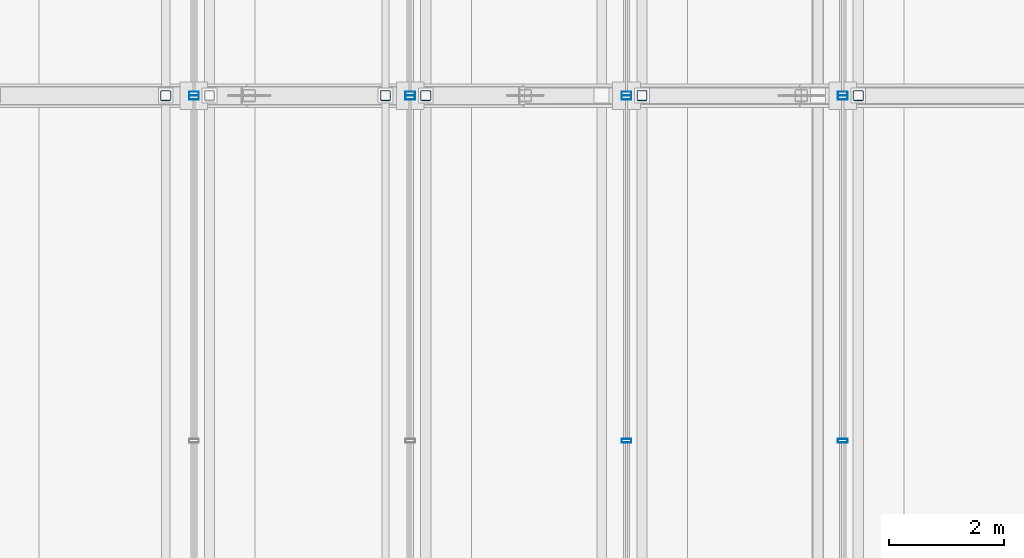
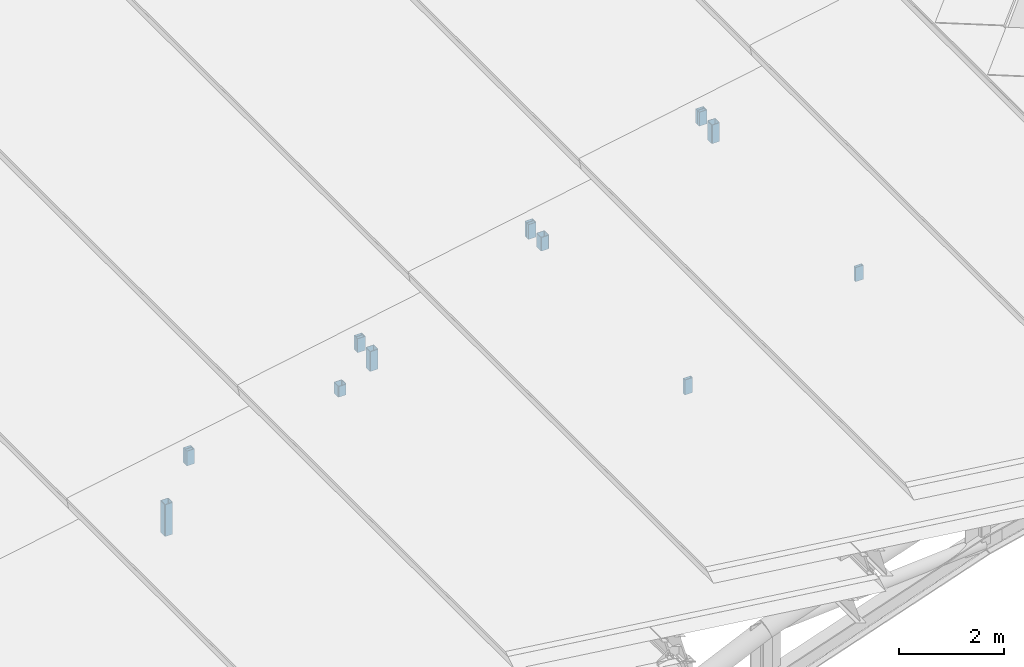
# One storey, part 59 of 117: 15 members, 8 elements without a shape of their own.
"""IFC4 building model written with IfcOpenShell, lengths in metres."""

from ifc_helpers import new_model, si_unit, direction, frame, origin, origin_2d, place, context, subcontext, project, spatial, hollow_rectangle, extrude, material, material_profile, profile_set, type_object, element, aggregate, save


model = new_model("IFC4")

# Units and contexts
model_context = context("Model", 3, precision=1e-05, world=origin(), true_north=direction((0.0, 1.0)))
body_context = subcontext(model_context, "Body", "Model", "MODEL_VIEW")
ifc_project = project(units=[si_unit("LENGTHUNIT", "METRE"), si_unit("AREAUNIT", "SQUARE_METRE"), si_unit("VOLUMEUNIT", "CUBIC_METRE"), si_unit("PLANEANGLEUNIT", "RADIAN"), si_unit("MASSUNIT", "GRAM", prefix="KILO")], contexts=[model_context])

# Site, building, storey
site_placement = place(None, origin())
site = spatial("IfcSite", under=ifc_project, at=site_placement, CompositionType="ELEMENT")
building_placement = place(site_placement, origin())
building = spatial("IfcBuilding", under=site, at=building_placement, Name="Merenkruunu Market Hall", CompositionType="ELEMENT")
storey_placement = place(building_placement, frame((0.0, 0.0, 22.800048828125)))
storey = spatial("IfcBuildingStorey", under=building, at=storey_placement, Name="RF", CompositionType="ELEMENT", Elevation=22.800048828125)

# Curtain wall, member
ifc_material_1 = material(Name="Powder-coated aluminium", Category="aluminium")
curtain_wall_type = type_object("IfcCurtainWallType", Name="Clerestory Curtain Band CL05", PredefinedType="USERDEFINED", material=ifc_material_1)
curtain_wall_1_placement = place(storey_placement, origin())
curtain_wall_1 = element("IfcCurtainWall", 1, at=curtain_wall_1_placement, inside=storey, type_object=curtain_wall_type, Name="CW-RF-CWM04-083", ObjectType="CLERESTORY_BAND", PredefinedType="USERDEFINED")
ifc_material_profile_1 = material_profile(ifc_material_1, hollow_rectangle(XDim=0.070068359375, YDim=0.169921875, WallThickness=0.0048828125, at=origin_2d()), Name="ALU 70x170x5")
ifc_profile_set_1 = profile_set([ifc_material_profile_1], Name="Powder-coated aluminium")
member_type_1 = type_object("IfcMemberType", Name="Curtain Wall Mullion CWM04", PredefinedType="MULLION", material=ifc_profile_set_1)
member_1_placement = place(storey_placement, frame((3.840087890625, 63.56494140625, -6.52197265625), z_axis=(0.0, 0.0, 1.0), x_axis=(0.0, 1.0, 0.0)))
member_1 = element("IfcMember", 2, at=member_1_placement, type_object=member_type_1, Name="CL05 mullion 5", PredefinedType="MULLION", context=body_context, shape_type="SweptSolid", body=[
    extrude(hollow_rectangle(XDim=0.070068359375, YDim=0.169921875, WallThickness=0.0048828125, at=origin_2d()), origin(), (0.0, 0.0, 1.0), 0.347900390625),
])
aggregate(curtain_wall_1, [member_1])

curtain_wall_2_placement = place(storey_placement, origin())
curtain_wall_2 = element("IfcCurtainWall", 3, at=curtain_wall_2_placement, inside=storey, type_object=curtain_wall_type, Name="CW-RF-CWM04-085", ObjectType="CLERESTORY_BAND", PredefinedType="USERDEFINED")
member_2_placement = place(storey_placement, frame((3.840087890625, 63.635009765625, -6.52197265625), z_axis=(0.0, 0.0, 1.0), x_axis=(0.0, 1.0, 0.0)))
member_2 = element("IfcMember", 4, at=member_2_placement, type_object=member_type_1, Name="CL05 mullion 1", PredefinedType="MULLION", context=body_context, shape_type="SweptSolid", body=[
    extrude(hollow_rectangle(XDim=0.070068359375, YDim=0.169921875, WallThickness=0.0048828125, at=origin_2d()), origin(), (0.0, 0.0, 1.0), 0.347900390625),
])
aggregate(curtain_wall_2, [member_2])

curtain_wall_3_placement = place(storey_placement, origin())
curtain_wall_3 = element("IfcCurtainWall", 5, at=curtain_wall_3_placement, inside=storey, type_object=curtain_wall_type, Name="CW-RF-CWM04-091", ObjectType="CLERESTORY_BAND", PredefinedType="USERDEFINED")
member_3_placement = place(storey_placement, frame((7.60009765625, 63.56494140625, -5.2021484375), z_axis=(0.0, 0.0, 1.0), x_axis=(0.0, 1.0, 0.0)))
member_3 = element("IfcMember", 6, at=member_3_placement, type_object=member_type_1, Name="CL05 mullion 5", PredefinedType="MULLION", context=body_context, shape_type="SweptSolid", body=[
    extrude(hollow_rectangle(XDim=0.070068359375, YDim=0.169921875, WallThickness=0.0048828125, at=origin_2d()), origin(), (0.0, 0.0, 1.0), 0.3271484375),
])
aggregate(curtain_wall_3, [member_3])

curtain_wall_4_placement = place(storey_placement, origin())
curtain_wall_4 = element("IfcCurtainWall", 7, at=curtain_wall_4_placement, inside=storey, type_object=curtain_wall_type, Name="CW-RF-CWM04-093", ObjectType="CLERESTORY_BAND", PredefinedType="USERDEFINED")
member_4_placement = place(storey_placement, frame((7.60009765625, 63.635009765625, -5.2021484375), z_axis=(0.0, 0.0, 1.0), x_axis=(0.0, 1.0, 0.0)))
member_4 = element("IfcMember", 8, at=member_4_placement, type_object=member_type_1, Name="CL05 mullion 1", PredefinedType="MULLION", context=body_context, shape_type="SweptSolid", body=[
    extrude(hollow_rectangle(XDim=0.070068359375, YDim=0.169921875, WallThickness=0.0048828125, at=origin_2d()), origin(), (0.0, 0.0, 1.0), 0.3271484375),
])
aggregate(curtain_wall_4, [member_4])

# Curtain wall, members
curtain_wall_5_placement = place(storey_placement, origin())
curtain_wall_5 = element("IfcCurtainWall", 9, at=curtain_wall_5_placement, inside=storey, type_object=curtain_wall_type, Name="CW-RF-CWM04-099", ObjectType="CLERESTORY_BAND", PredefinedType="USERDEFINED")
member_5_placement = place(storey_placement, frame((11.360107421875, 57.60009765625, -3.882080078125), z_axis=(0.0, 0.0, 1.0), x_axis=(0.0, 1.0, 0.0)))
member_5 = element("IfcMember", 10, at=member_5_placement, type_object=member_type_1, Name="CL05 mullion 4", PredefinedType="MULLION", context=body_context, shape_type="SweptSolid", body=[
    extrude(hollow_rectangle(XDim=0.070068359375, YDim=0.169921875, WallThickness=0.0048828125, at=origin_2d()), origin(), (0.0, 0.0, 1.0), 0.34814453125),
])
member_6_placement = place(storey_placement, frame((11.360107421875, 63.56494140625, -3.882080078125), z_axis=(0.0, 0.0, 1.0), x_axis=(0.0, 1.0, 0.0)))
member_6 = element("IfcMember", 11, at=member_6_placement, type_object=member_type_1, Name="CL05 mullion 5", PredefinedType="MULLION", context=body_context, shape_type="SweptSolid", body=[
    extrude(hollow_rectangle(XDim=0.070068359375, YDim=0.169921875, WallThickness=0.0048828125, at=origin_2d()), origin(), (0.0, 0.0, 1.0), 0.34814453125),
])
aggregate(curtain_wall_5, [member_5, member_6])

# Curtain wall, member
curtain_wall_6_placement = place(storey_placement, origin())
curtain_wall_6 = element("IfcCurtainWall", 12, at=curtain_wall_6_placement, inside=storey, type_object=curtain_wall_type, Name="CW-RF-CWM04-101", ObjectType="CLERESTORY_BAND", PredefinedType="USERDEFINED")
member_7_placement = place(storey_placement, frame((11.360107421875, 63.635009765625, -3.882080078125), z_axis=(0.0, 0.0, 1.0), x_axis=(0.0, 1.0, 0.0)))
member_7 = element("IfcMember", 13, at=member_7_placement, type_object=member_type_1, Name="CL05 mullion 1", PredefinedType="MULLION", context=body_context, shape_type="SweptSolid", body=[
    extrude(hollow_rectangle(XDim=0.070068359375, YDim=0.169921875, WallThickness=0.0048828125, at=origin_2d()), origin(), (0.0, 0.0, 1.0), 0.34814453125),
])
aggregate(curtain_wall_6, [member_7])

# Curtain wall, members
curtain_wall_7_placement = place(storey_placement, origin())
curtain_wall_7 = element("IfcCurtainWall", 14, at=curtain_wall_7_placement, inside=storey, type_object=curtain_wall_type, Name="CW-RF-CWM04-107", ObjectType="CLERESTORY_BAND", PredefinedType="USERDEFINED")
member_8_placement = place(storey_placement, frame((15.1201171875, 57.60009765625, -2.56201171875), z_axis=(0.0, 0.0, 1.0), x_axis=(0.0, 1.0, 0.0)))
member_8 = element("IfcMember", 15, at=member_8_placement, type_object=member_type_1, Name="CL05 mullion 4", PredefinedType="MULLION", context=body_context, shape_type="SweptSolid", body=[
    extrude(hollow_rectangle(XDim=0.070068359375, YDim=0.169921875, WallThickness=0.0048828125, at=origin_2d()), origin(), (0.0, 0.0, 1.0), 0.326904296875),
])
member_9_placement = place(storey_placement, frame((15.1201171875, 63.56494140625, -2.56201171875), z_axis=(0.0, 0.0, 1.0), x_axis=(0.0, 1.0, 0.0)))
member_9 = element("IfcMember", 16, at=member_9_placement, type_object=member_type_1, Name="CL05 mullion 5", PredefinedType="MULLION", context=body_context, shape_type="SweptSolid", body=[
    extrude(hollow_rectangle(XDim=0.070068359375, YDim=0.169921875, WallThickness=0.0048828125, at=origin_2d()), origin(), (0.0, 0.0, 1.0), 0.326904296875),
])
aggregate(curtain_wall_7, [member_8, member_9])

# Curtain wall, member
curtain_wall_8_placement = place(storey_placement, origin())
curtain_wall_8 = element("IfcCurtainWall", 17, at=curtain_wall_8_placement, inside=storey, type_object=curtain_wall_type, Name="CW-RF-CWM04-109", ObjectType="CLERESTORY_BAND", PredefinedType="USERDEFINED")
member_10_placement = place(storey_placement, frame((15.1201171875, 63.635009765625, -2.56201171875), z_axis=(0.0, 0.0, 1.0), x_axis=(0.0, 1.0, 0.0)))
member_10 = element("IfcMember", 18, at=member_10_placement, type_object=member_type_1, Name="CL05 mullion 1", PredefinedType="MULLION", context=body_context, shape_type="SweptSolid", body=[
    extrude(hollow_rectangle(XDim=0.070068359375, YDim=0.169921875, WallThickness=0.0048828125, at=origin_2d()), origin(), (0.0, 0.0, 1.0), 0.326904296875),
])
aggregate(curtain_wall_8, [member_10])

# Members
ifc_material_2 = material(Name="Steel S355J2", Category="steel")
ifc_material_profile_2 = material_profile(ifc_material_2, hollow_rectangle(XDim=0.179931640625, YDim=0.179931640625, WallThickness=0.010009765625, InnerFilletRadius=0.010009765625, OuterFilletRadius=0.02001953125, at=origin_2d()), Name="SHS 180x180x10")
ifc_profile_set_2 = profile_set([ifc_material_profile_2], Name="Steel S355J2")
member_type_2 = type_object("IfcMemberType", Name="Diagonal Sway Brace BR05", PredefinedType="BRACE", material=ifc_profile_set_2)
member_11_placement = place(storey_placement, frame((3.35009765625, 63.60009765625, -7.98095703125), z_axis=(0.0, 0.0, 1.0), x_axis=(1.0, 0.0, 0.0)))
element("IfcMember", 19, at=member_11_placement, inside=storey, type_object=member_type_2, Name="TRUSS-AT-5-RISER-W1-2", PredefinedType="BRACE", context=body_context, shape_type="SweptSolid", body=[
    extrude(hollow_rectangle(XDim=0.179931640625, YDim=0.179931640625, WallThickness=0.010009765625, InnerFilletRadius=0.010009765625, OuterFilletRadius=0.02001953125, at=origin_2d()), origin(), (0.0, 0.0, 1.0), 0.741455078125),
])
member_12_placement = place(storey_placement, frame((7.169921875, 63.60009765625, -6.075439453125), z_axis=(0.0, 0.0, 1.0), x_axis=(1.0, 0.0, 0.0)))
element("IfcMember", 20, at=member_12_placement, inside=storey, type_object=member_type_2, Name="TRUSS-AT-5-RISER-W2-2", PredefinedType="BRACE", context=body_context, shape_type="SweptSolid", body=[
    extrude(hollow_rectangle(XDim=0.179931640625, YDim=0.179931640625, WallThickness=0.010009765625, InnerFilletRadius=0.010009765625, OuterFilletRadius=0.02001953125, at=origin_2d()), origin(), (0.0, 0.0, 1.0), 0.25),
])
member_13_placement = place(storey_placement, frame((7.8701171875, 63.60009765625, -5.720947265625), z_axis=(0.0, 0.0, 1.0), x_axis=(1.0, 0.0, 0.0)))
element("IfcMember", 21, at=member_13_placement, inside=storey, type_object=member_type_2, Name="TRUSS-AT-5-RISER-W3-1", PredefinedType="BRACE", context=body_context, shape_type="SweptSolid", body=[
    extrude(hollow_rectangle(XDim=0.179931640625, YDim=0.179931640625, WallThickness=0.010009765625, InnerFilletRadius=0.010009765625, OuterFilletRadius=0.02001953125, at=origin_2d()), origin(), (0.0, 0.0, 1.0), 0.462646484375),
])
member_14_placement = place(storey_placement, frame((11.6298828125, 63.60009765625, -4.23583984375), z_axis=(0.0, 0.0, 1.0), x_axis=(1.0, 0.0, 0.0)))
element("IfcMember", 22, at=member_14_placement, inside=storey, type_object=member_type_2, Name="TRUSS-AT-5-RISER-W4-1", PredefinedType="BRACE", context=body_context, shape_type="SweptSolid", body=[
    extrude(hollow_rectangle(XDim=0.179931640625, YDim=0.179931640625, WallThickness=0.010009765625, InnerFilletRadius=0.010009765625, OuterFilletRadius=0.02001953125, at=origin_2d()), origin(), (0.0, 0.0, 1.0), 0.31787109375),
])
member_15_placement = place(storey_placement, frame((15.389892578125, 63.60009765625, -3.053955078125), z_axis=(0.0, 0.0, 1.0), x_axis=(1.0, 0.0, 0.0)))
element("IfcMember", 23, at=member_15_placement, inside=storey, type_object=member_type_2, Name="TRUSS-AT-5-RISER-W5-1", PredefinedType="BRACE", context=body_context, shape_type="SweptSolid", body=[
    extrude(hollow_rectangle(XDim=0.179931640625, YDim=0.179931640625, WallThickness=0.010009765625, InnerFilletRadius=0.010009765625, OuterFilletRadius=0.02001953125, at=origin_2d()), origin(), (0.0, 0.0, 1.0), 0.435546875),
])

save(model, "model.ifc")
